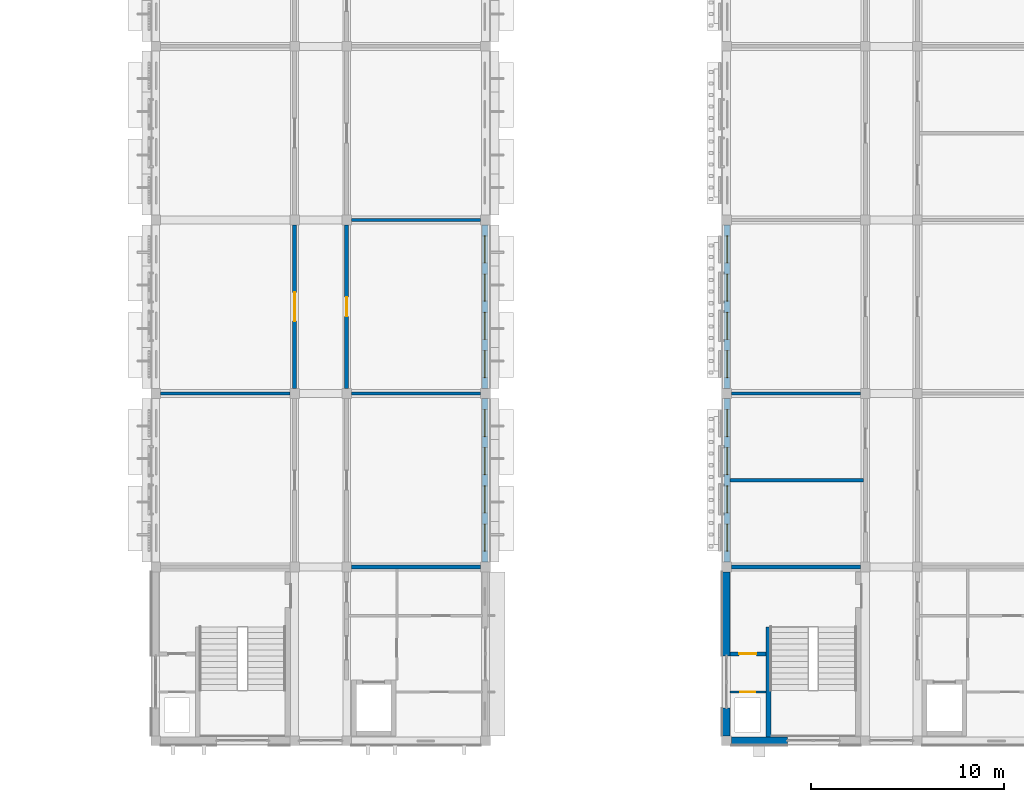
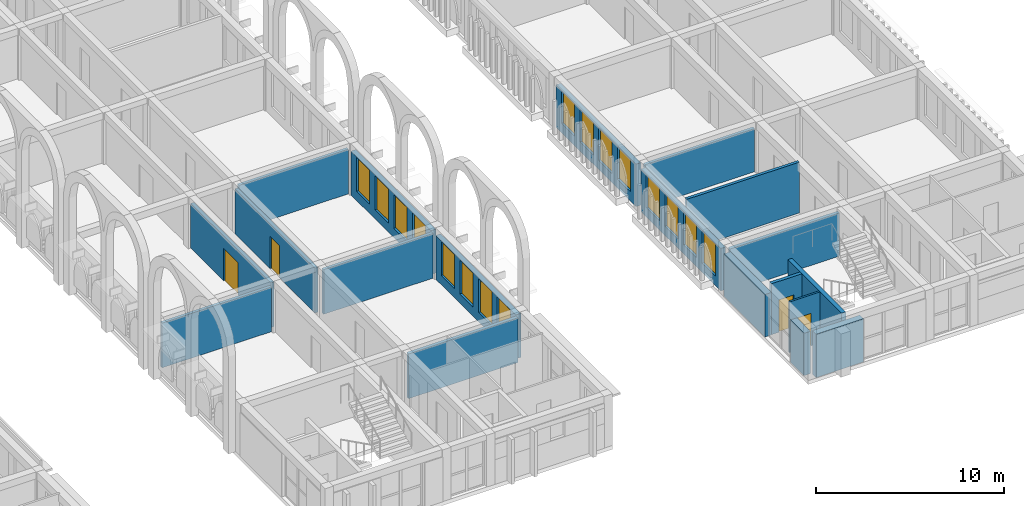
# One storey, part 38 of 70: 19 walls, 16 windows, 4 doors, 20 openings.
"""IFC4 building model written with IfcOpenShell, lengths in metres."""

from ifc_helpers import new_model, si_unit, direction, frame, frame_2d, origin, place, context, subcontext, project, spatial, rectangle, extrude, material, layer, layer_set, type_object, element, fill, save


model = new_model("IFC4")

# Units and contexts
model_context = context("Model", 3, precision=1e-05, world=origin(), true_north=direction((0.0, 1.0)))
body_context = subcontext(model_context, "Body", "Model", "MODEL_VIEW")
ifc_project = project(units=[si_unit("LENGTHUNIT", "METRE"), si_unit("AREAUNIT", "SQUARE_METRE"), si_unit("VOLUMEUNIT", "CUBIC_METRE"), si_unit("PLANEANGLEUNIT", "RADIAN"), si_unit("MASSUNIT", "GRAM", prefix="KILO")], contexts=[model_context])

# Site, building, storey
site_placement = place(None, origin())
site = spatial("IfcSite", under=ifc_project, at=site_placement, CompositionType="ELEMENT")
building_placement = place(site_placement, origin())
building = spatial("IfcBuilding", under=site, at=building_placement, Name="Elbe Cascade School", CompositionType="ELEMENT")
storey_placement = place(building_placement, frame((0.0, 0.0, 8.10009765625)))
storey = spatial("IfcBuildingStorey", under=building, at=storey_placement, Name="L02", CompositionType="ELEMENT", Elevation=8.10009765625)

# Walls
ifc_material_1 = material(Name="Masonry - lime-sand block, plastered", Category="masonry")
ifc_layer_1 = layer(ifc_material_1, 0.175048828125)
ifc_layer_set_1 = layer_set([ifc_layer_1], Name="Masonry - lime-sand block, plastered")
wall_type_1 = type_object("IfcWallType", Name="Bar classroom partition wall lime-sand block 175", PredefinedType="PARTITIONING", material=ifc_layer_set_1)
for number, where, z_axis, x_axis, name in (
    (1, (98.85009765625, 24.0, 0.0), (0.0, 0.0, 1.0), (1.0, 0.0, 0.0), "Bar classroom partition wall lime-sand block 175"),
    (2, (108.75, 24.0, 0.0), (0.0, 0.0, 1.0), (1.0, 0.0, 0.0), "Bar classroom partition wall lime-sand block 175"),
    (3, (108.75, 33.0, 0.0), (0.0, 0.0, 1.0), (1.0, 0.0, 0.0), "Bar classroom partition wall lime-sand block 175"),
):
    element("IfcWall", number, at=place(storey_placement, frame(where, z_axis=z_axis, x_axis=x_axis)), inside=storey, type_object=wall_type_1, Name=name, PredefinedType="PARTITIONING", context=body_context, shape_type="SweptSolid", body=[
        extrude(rectangle(XDim=6.699951171875, YDim=0.175048828125, at=frame_2d((3.35009765625, 0.0))), origin(), (0.0, 0.0, 1.0), 2.89990234375),
    ])
wall_1_placement = place(storey_placement, frame((128.3798828125, 19.5, 0.0), z_axis=(0.0, 0.0, 1.0), x_axis=(1.0, 0.0, 0.0)))
element("IfcWall", 4, at=wall_1_placement, inside=storey, type_object=wall_type_1, Name="Bar classroom partition wall lime-sand block 175", PredefinedType="PARTITIONING", context=body_context, shape_type="SweptSolid", body=[
    extrude(rectangle(XDim=6.920166015625, YDim=0.175048828125, at=frame_2d((3.4599609375, 0.0))), origin(), (0.0, 0.0, 1.0), 3.2998046875),
])
wall_2_placement = place(storey_placement, frame((128.449951171875, 24.0, 0.0), z_axis=(0.0, 0.0, 1.0), x_axis=(1.0, 0.0, 0.0)))
element("IfcWall", 5, at=wall_2_placement, inside=storey, type_object=wall_type_1, Name="Bar classroom partition wall lime-sand block 175", PredefinedType="PARTITIONING", context=body_context, shape_type="SweptSolid", body=[
    extrude(rectangle(XDim=6.699951171875, YDim=0.175048828125, at=frame_2d((3.35009765625, 0.0))), origin(), (0.0, 0.0, 1.0), 2.7998046875),
])

# Wall, opening, door
ifc_material_2 = material(Name="Masonry - lime-sand block, plastered", Category="masonry")
ifc_layer_2 = layer(ifc_material_2, 0.199951171875)
ifc_layer_set_2 = layer_set([ifc_layer_2], Name="Masonry - lime-sand block, plastered")
wall_type_2 = type_object("IfcWallType", Name="Bar corridor wall lime-sand block 200 EI 30", PredefinedType="PARTITIONING", material=ifc_layer_set_2)
wall_3_placement = place(storey_placement, frame((105.800048828125, 24.25, 0.0), z_axis=(0.0, 0.0, 1.0), x_axis=(0.0, 1.0, 0.0)))
wall_3 = element("IfcWall", 6, at=wall_3_placement, inside=storey, type_object=wall_type_2, Name="Bar corridor wall lime-sand block 200 EI 30", PredefinedType="PARTITIONING", context=body_context, shape_type="SweptSolid", body=[
    extrude(rectangle(XDim=8.5, YDim=0.199951171875, at=frame_2d((4.25, 0.0))), origin(), (0.0, 0.0, 1.0), 2.89990234375),
])
opening_1_placement = place(wall_3_placement, frame((3.5, 0.0, 0.0)))
opening_1 = element("IfcOpeningElement", 7, at=opening_1_placement, cuts=wall_3, Name="Opening D2.040", PredefinedType="OPENING", context=body_context, shape_type="SweptSolid", body=[
    extrude(rectangle(XDim=1.5, YDim=2.10009765625, at=frame_2d((0.75, 1.050048828125))), frame((0.0, 0.10986328125, 0.0), z_axis=(0.0, -1.0, 0.0), x_axis=(1.0, 0.0, 0.0)), (0.0, 0.0, 1.0), 0.219970703125),
])
ifc_material_3 = material(Name="Timber door leaves, fire-resisting, steel frame", Category="steel")
door_type_1 = type_object("IfcDoorType", Name="Bar door FD30 1500x2100", OperationType="NOTDEFINED", PredefinedType="DOOR", material=ifc_material_3)
door_1_placement = place(opening_1_placement, origin())
door_1 = element("IfcDoor", 8, at=door_1_placement, inside=storey, type_object=door_type_1, Name="Door B2.20a", OperationType="DOUBLE_DOOR_SINGLE_SWING", OverallHeight=2.10009765625, OverallWidth=1.5, PredefinedType="DOOR", context=body_context, shape_type="SweptSolid", body=[
    extrude(rectangle(XDim=1.5, YDim=2.10009765625, at=frame_2d((0.75, 1.050048828125))), frame((0.0, 0.02490234375, 0.0), z_axis=(0.0, -1.0, 0.0), x_axis=(1.0, 0.0, 0.0)), (0.0, 0.0, 1.0), 0.050048828125),
])
fill(opening_1, door_1)

wall_4_placement = place(storey_placement, frame((108.5, 32.75, 0.0), z_axis=(0.0, 0.0, 1.0), x_axis=(0.0, -1.0, 0.0)))
wall_4 = element("IfcWall", 9, at=wall_4_placement, inside=storey, type_object=wall_type_2, Name="Bar corridor wall lime-sand block 200 EI 30", PredefinedType="PARTITIONING", context=body_context, shape_type="SweptSolid", body=[
    extrude(rectangle(XDim=8.5, YDim=0.199951171875, at=frame_2d((4.25, 0.0))), origin(), (0.0, 0.0, 1.0), 2.89990234375),
])
opening_2_placement = place(wall_4_placement, frame((3.75, 0.0, 0.0)))
opening_2 = element("IfcOpeningElement", 10, at=opening_2_placement, cuts=wall_4, Name="Opening D2.041", PredefinedType="OPENING", context=body_context, shape_type="SweptSolid", body=[
    extrude(rectangle(XDim=1.0, YDim=2.10009765625, at=frame_2d((0.5, 1.050048828125))), frame((0.0, 0.10986328125, 0.0), z_axis=(0.0, -1.0, 0.0), x_axis=(1.0, 0.0, 0.0)), (0.0, 0.0, 1.0), 0.219970703125),
])
ifc_material_4 = material(Name="Timber door leaf, fire-resisting, steel frame", Category="steel")
door_type_2 = type_object("IfcDoorType", Name="Bar door FD30 1000x2100", OperationType="NOTDEFINED", PredefinedType="DOOR", material=ifc_material_4)
door_2_placement = place(opening_2_placement, origin())
door_2 = element("IfcDoor", 11, at=door_2_placement, inside=storey, type_object=door_type_2, Name="Door B2.23", OperationType="SINGLE_SWING_RIGHT", OverallHeight=2.10009765625, OverallWidth=1.0, PredefinedType="DOOR", context=body_context, shape_type="SweptSolid", body=[
    extrude(rectangle(XDim=1.0, YDim=2.10009765625, at=frame_2d((0.5, 1.050048828125))), frame((0.0, 0.02490234375, 0.0), z_axis=(0.0, -1.0, 0.0), x_axis=(1.0, 0.0, 0.0)), (0.0, 0.0, 1.0), 0.050048828125),
])
fill(opening_2, door_2)

ifc_material_5 = material(Name="Masonry - lime-sand block, plastered", Category="masonry")
ifc_layer_3 = layer(ifc_material_5, 0.114990234375)
ifc_layer_set_3 = layer_set([ifc_layer_3], Name="Masonry - lime-sand block, plastered")
wall_type_3 = type_object("IfcWallType", Name="Bar light partition wall lime-sand block 115", PredefinedType="PARTITIONING", material=ifc_layer_set_3)
wall_5_placement = place(storey_placement, frame((130.25, 8.52001953125, 0.0), z_axis=(0.0, 0.0, 1.0), x_axis=(-1.0, 0.0, 0.0)))
wall_5 = element("IfcWall", 12, at=wall_5_placement, inside=storey, type_object=wall_type_3, Name="Bar light partition wall lime-sand block 115", PredefinedType="PARTITIONING", context=body_context, shape_type="SweptSolid", body=[
    extrude(rectangle(XDim=1.8701171875, YDim=0.114990234375, at=frame_2d((0.93505859375, 0.0))), origin(), (0.0, 0.0, 1.0), 3.2998046875),
])
opening_3_placement = place(wall_5_placement, frame((0.550048828125, 0.0, 0.0)))
opening_3 = element("IfcOpeningElement", 13, at=opening_3_placement, cuts=wall_5, Name="Opening D2.054", PredefinedType="OPENING", context=body_context, shape_type="SweptSolid", body=[
    extrude(rectangle(XDim=0.800048828125, YDim=2.10009765625, at=frame_2d((0.39990234375, 1.050048828125))), frame((0.0, 0.0673828125, 0.0), z_axis=(0.0, -1.0, 0.0), x_axis=(1.0, 0.0, 0.0)), (0.0, 0.0, 1.0), 0.135009765625),
])
ifc_material_6 = material(Name="Timber door leaf, steel frame", Category="steel")
door_type_3 = type_object("IfcDoorType", Name="Bar door 800x2100", OperationType="NOTDEFINED", PredefinedType="DOOR", material=ifc_material_6)
door_3_placement = place(opening_3_placement, origin())
door_3 = element("IfcDoor", 14, at=door_3_placement, inside=storey, type_object=door_type_3, Name="Door C2.05", OperationType="SINGLE_SWING_LEFT", OverallHeight=2.10009765625, OverallWidth=0.800048828125, PredefinedType="DOOR", context=body_context, shape_type="SweptSolid", body=[
    extrude(rectangle(XDim=0.800048828125, YDim=2.10009765625, at=frame_2d((0.39990234375, 1.050048828125))), frame((0.0, 0.02490234375, 0.0), z_axis=(0.0, -1.0, 0.0), x_axis=(1.0, 0.0, 0.0)), (0.0, 0.0, 1.0), 0.050048828125),
])
fill(opening_3, door_3)

# Walls
ifc_material_7 = material(Name="Masonry - lime-sand block, plastered", Category="masonry")
ifc_layer_4 = layer(ifc_material_7, 0.199951171875)
ifc_layer_set_4 = layer_set([ifc_layer_4], Name="Masonry - lime-sand block, plastered")
wall_type_4 = type_object("IfcWallType", Name="Bar partition wall lime-sand block 200", PredefinedType="PARTITIONING", material=ifc_layer_set_4)
wall_6_placement = place(storey_placement, frame((108.75, 15.0, 0.0), z_axis=(0.0, 0.0, 1.0), x_axis=(1.0, 0.0, 0.0)))
element("IfcWall", 15, at=wall_6_placement, inside=storey, type_object=wall_type_4, Name="Bar partition wall lime-sand block 200", PredefinedType="PARTITIONING", context=body_context, shape_type="SweptSolid", body=[
    extrude(rectangle(XDim=6.699951171875, YDim=0.199951171875, at=frame_2d((3.35009765625, 0.0))), origin(), (0.0, 0.0, 1.0), 2.89990234375),
])
ifc_material_8 = material(Name="Concrete C30/37", Category="concrete")
ifc_layer_5 = layer(ifc_material_8, 0.25)
ifc_layer_set_5 = layer_set([ifc_layer_5], Name="Concrete C30/37")
wall_type_5 = type_object("IfcWallType", Name="Bar stair core wall RC 250", PredefinedType="SOLIDWALL", material=ifc_layer_set_5)
wall_7_placement = place(storey_placement, frame((130.375, 6.179931640625, 0.0), z_axis=(0.0, 0.0, 1.0), x_axis=(0.0, 1.0, 0.0)))
element("IfcWall", 16, at=wall_7_placement, inside=storey, type_object=wall_type_5, Name="Bar stair core wall RC 250", PredefinedType="SOLIDWALL", context=body_context, shape_type="SweptSolid", body=[
    extrude(rectangle(XDim=5.719970703125, YDim=0.25, at=frame_2d((2.85986328125, 0.0))), origin(), (0.0, 0.0, 1.0), 3.2998046875),
])

# Wall, opening, door
ifc_material_9 = material(Name="Concrete C30/37", Category="concrete")
ifc_layer_6 = layer(ifc_material_9, 0.199951171875)
ifc_layer_set_6 = layer_set([ifc_layer_6], Name="Concrete C30/37")
wall_type_6 = type_object("IfcWallType", Name="Bar stair lobby wall RC 200", PredefinedType="SOLIDWALL", material=ifc_layer_set_6)
wall_8_placement = place(storey_placement, frame((130.25, 10.5, 0.0), z_axis=(0.0, 0.0, 1.0), x_axis=(-1.0, 0.0, 0.0)))
wall_8 = element("IfcWall", 17, at=wall_8_placement, inside=storey, type_object=wall_type_6, Name="Bar stair lobby wall RC 200", PredefinedType="SOLIDWALL", context=body_context, shape_type="SweptSolid", body=[
    extrude(rectangle(XDim=1.8701171875, YDim=0.199951171875, at=frame_2d((0.93505859375, 0.0))), origin(), (0.0, 0.0, 1.0), 3.2998046875),
])
opening_4_placement = place(wall_8_placement, frame((0.5, 0.0, 0.0)))
opening_4 = element("IfcOpeningElement", 18, at=opening_4_placement, cuts=wall_8, Name="Opening D2.057", PredefinedType="OPENING", context=body_context, shape_type="SweptSolid", body=[
    extrude(rectangle(XDim=0.89990234375, YDim=2.10009765625, at=frame_2d((0.449951171875, 1.050048828125))), frame((0.0, 0.10986328125, 0.0), z_axis=(0.0, -1.0, 0.0), x_axis=(1.0, 0.0, 0.0)), (0.0, 0.0, 1.0), 0.219970703125),
])
ifc_material_10 = material(Name="Timber door leaf, fire-resisting and smoke-tight, steel frame", Category="steel")
door_type_4 = type_object("IfcDoorType", Name="Bar door FD30S 900x2100", OperationType="NOTDEFINED", PredefinedType="DOOR", material=ifc_material_10)
door_4_placement = place(opening_4_placement, origin())
door_4 = element("IfcDoor", 19, at=door_4_placement, inside=storey, type_object=door_type_4, Name="Door C2.04", OperationType="SINGLE_SWING_RIGHT", OverallHeight=2.10009765625, OverallWidth=0.89990234375, PredefinedType="DOOR", context=body_context, shape_type="SweptSolid", body=[
    extrude(rectangle(XDim=0.89990234375, YDim=2.10009765625, at=frame_2d((0.449951171875, 1.050048828125))), frame((0.0, 0.02490234375, 0.0), z_axis=(0.0, -1.0, 0.0), x_axis=(1.0, 0.0, 0.0)), (0.0, 0.0, 1.0), 0.050048828125),
])
fill(opening_4, door_4)

# Wall
wall_9_placement = place(storey_placement, frame((128.449951171875, 15.0, 0.0), z_axis=(0.0, 0.0, 1.0), x_axis=(1.0, 0.0, 0.0)))
element("IfcWall", 20, at=wall_9_placement, inside=storey, type_object=wall_type_6, Name="Bar stair lobby wall RC 200", PredefinedType="SOLIDWALL", context=body_context, shape_type="SweptSolid", body=[
    extrude(rectangle(XDim=6.699951171875, YDim=0.199951171875, at=frame_2d((3.35009765625, 0.0))), origin(), (0.0, 0.0, 1.0), 2.7998046875),
])

# Wall, openings, windows
ifc_material_11 = material(Name="Brick masonry - red clinker, cavity wall with render backing", Category="masonry")
ifc_layer_7 = layer(ifc_material_11, 0.300048828125)
ifc_layer_set_7 = layer_set([ifc_layer_7], Name="Brick masonry - red clinker, cavity wall with render backing")
wall_type_7 = type_object("IfcWallType", Name="Bars envelope External wall - clinker brick cavity, 300 upper floors", PredefinedType="STANDARD", material=ifc_layer_set_7)
wall_10_placement = place(storey_placement, frame((115.669921875, 23.75, 0.0), z_axis=(0.0, 0.0, 1.0), x_axis=(0.0, -1.0, 0.0)))
wall_10 = element("IfcWall", 21, at=wall_10_placement, inside=storey, type_object=wall_type_7, Name="External wall W30 B.L02.e2", PredefinedType="STANDARD", context=body_context, shape_type="SweptSolid", body=[
    extrude(rectangle(XDim=8.5, YDim=0.300048828125, at=frame_2d((4.25, 0.0))), origin(), (0.0, 0.0, 1.0), 2.849853515625),
])
opening_5_placement = place(wall_10_placement, frame((6.52001953125, 0.0, 0.60009765625)))
opening_5 = element("IfcOpeningElement", 22, at=opening_5_placement, cuts=wall_10, Name="Opening W2.043", PredefinedType="OPENING", context=body_context, shape_type="SweptSolid", body=[
    extrude(rectangle(XDim=1.39990234375, YDim=2.199951171875, at=frame_2d((0.699951171875, 1.10009765625))), frame((0.0, 0.159912109375, 0.0), z_axis=(0.0, -1.0, 0.0), x_axis=(1.0, 0.0, 0.0)), (0.0, 0.0, 1.0), 0.320068359375),
])
opening_6_placement = place(wall_10_placement, frame((4.5400390625, 0.0, 0.60009765625)))
opening_6 = element("IfcOpeningElement", 23, at=opening_6_placement, cuts=wall_10, Name="Opening W2.045", PredefinedType="OPENING", context=body_context, shape_type="SweptSolid", body=[
    extrude(rectangle(XDim=1.39990234375, YDim=2.199951171875, at=frame_2d((0.699951171875, 1.10009765625))), frame((0.0, 0.159912109375, 0.0), z_axis=(0.0, -1.0, 0.0), x_axis=(1.0, 0.0, 0.0)), (0.0, 0.0, 1.0), 0.320068359375),
])
opening_7_placement = place(wall_10_placement, frame((2.56005859375, 0.0, 0.60009765625)))
opening_7 = element("IfcOpeningElement", 24, at=opening_7_placement, cuts=wall_10, Name="Opening W2.047", PredefinedType="OPENING", context=body_context, shape_type="SweptSolid", body=[
    extrude(rectangle(XDim=1.39990234375, YDim=2.199951171875, at=frame_2d((0.699951171875, 1.10009765625))), frame((0.0, 0.159912109375, 0.0), z_axis=(0.0, -1.0, 0.0), x_axis=(1.0, 0.0, 0.0)), (0.0, 0.0, 1.0), 0.320068359375),
])
opening_8_placement = place(wall_10_placement, frame((0.580078125, 0.0, 0.60009765625)))
opening_8 = element("IfcOpeningElement", 25, at=opening_8_placement, cuts=wall_10, Name="Opening W2.049", PredefinedType="OPENING", context=body_context, shape_type="SweptSolid", body=[
    extrude(rectangle(XDim=1.39990234375, YDim=2.199951171875, at=frame_2d((0.699951171875, 1.10009765625))), frame((0.0, 0.159912109375, 0.0), z_axis=(0.0, -1.0, 0.0), x_axis=(1.0, 0.0, 0.0)), (0.0, 0.0, 1.0), 0.320068359375),
])
ifc_material_12 = material(Name="Aluminium frame with double glazing, bronze anodised", Category="aluminium")
window_type_1 = type_object("IfcWindowType", Name="Bars envelope Window 1400 x 2200, classroom, aluminium double glazed", PartitioningType="DOUBLE_PANEL_VERTICAL", PredefinedType="WINDOW", material=ifc_material_12)
window_1_placement = place(opening_5_placement, origin())
window_1 = element("IfcWindow", 26, at=window_1_placement, inside=storey, type_object=window_type_1, Name="Window WN7 B.L02.e2.1", OverallHeight=2.199951171875, OverallWidth=1.39990234375, PartitioningType="DOUBLE_PANEL_VERTICAL", PredefinedType="WINDOW", context=body_context, shape_type="SweptSolid", body=[
    extrude(rectangle(XDim=1.39990234375, YDim=2.199951171875, at=frame_2d((0.699951171875, 1.10009765625))), frame((0.0, 0.030029296875, 0.0), z_axis=(0.0, -1.0, 0.0), x_axis=(1.0, 0.0, 0.0)), (0.0, 0.0, 1.0), 0.06005859375),
])
fill(opening_5, window_1)
window_2_placement = place(opening_6_placement, origin())
window_2 = element("IfcWindow", 27, at=window_2_placement, inside=storey, type_object=window_type_1, Name="Window WN7 B.L02.e2.2", OverallHeight=2.199951171875, OverallWidth=1.39990234375, PartitioningType="DOUBLE_PANEL_VERTICAL", PredefinedType="WINDOW", context=body_context, shape_type="SweptSolid", body=[
    extrude(rectangle(XDim=1.39990234375, YDim=2.199951171875, at=frame_2d((0.699951171875, 1.10009765625))), frame((0.0, 0.030029296875, 0.0), z_axis=(0.0, -1.0, 0.0), x_axis=(1.0, 0.0, 0.0)), (0.0, 0.0, 1.0), 0.06005859375),
])
fill(opening_6, window_2)
window_3_placement = place(opening_7_placement, origin())
window_3 = element("IfcWindow", 28, at=window_3_placement, inside=storey, type_object=window_type_1, Name="Window WN7 B.L02.e2.3", OverallHeight=2.199951171875, OverallWidth=1.39990234375, PartitioningType="DOUBLE_PANEL_VERTICAL", PredefinedType="WINDOW", context=body_context, shape_type="SweptSolid", body=[
    extrude(rectangle(XDim=1.39990234375, YDim=2.199951171875, at=frame_2d((0.699951171875, 1.10009765625))), frame((0.0, 0.030029296875, 0.0), z_axis=(0.0, -1.0, 0.0), x_axis=(1.0, 0.0, 0.0)), (0.0, 0.0, 1.0), 0.06005859375),
])
fill(opening_7, window_3)
window_4_placement = place(opening_8_placement, origin())
window_4 = element("IfcWindow", 29, at=window_4_placement, inside=storey, type_object=window_type_1, Name="Window WN7 B.L02.e2.4", OverallHeight=2.199951171875, OverallWidth=1.39990234375, PartitioningType="DOUBLE_PANEL_VERTICAL", PredefinedType="WINDOW", context=body_context, shape_type="SweptSolid", body=[
    extrude(rectangle(XDim=1.39990234375, YDim=2.199951171875, at=frame_2d((0.699951171875, 1.10009765625))), frame((0.0, 0.030029296875, 0.0), z_axis=(0.0, -1.0, 0.0), x_axis=(1.0, 0.0, 0.0)), (0.0, 0.0, 1.0), 0.06005859375),
])
fill(opening_8, window_4)

wall_11_placement = place(storey_placement, frame((115.669921875, 32.75, 0.0), z_axis=(0.0, 0.0, 1.0), x_axis=(0.0, -1.0, 0.0)))
wall_11 = element("IfcWall", 30, at=wall_11_placement, inside=storey, type_object=wall_type_7, Name="External wall W30 B.L02.e3", PredefinedType="STANDARD", context=body_context, shape_type="SweptSolid", body=[
    extrude(rectangle(XDim=8.5, YDim=0.300048828125, at=frame_2d((4.25, 0.0))), origin(), (0.0, 0.0, 1.0), 2.849853515625),
])
opening_9_placement = place(wall_11_placement, frame((6.52001953125, 0.0, 0.60009765625)))
opening_9 = element("IfcOpeningElement", 31, at=opening_9_placement, cuts=wall_11, Name="Opening W2.051", PredefinedType="OPENING", context=body_context, shape_type="SweptSolid", body=[
    extrude(rectangle(XDim=1.39990234375, YDim=2.199951171875, at=frame_2d((0.699951171875, 1.10009765625))), frame((0.0, 0.159912109375, 0.0), z_axis=(0.0, -1.0, 0.0), x_axis=(1.0, 0.0, 0.0)), (0.0, 0.0, 1.0), 0.320068359375),
])
opening_10_placement = place(wall_11_placement, frame((4.5400390625, 0.0, 0.60009765625)))
opening_10 = element("IfcOpeningElement", 32, at=opening_10_placement, cuts=wall_11, Name="Opening W2.053", PredefinedType="OPENING", context=body_context, shape_type="SweptSolid", body=[
    extrude(rectangle(XDim=1.39990234375, YDim=2.199951171875, at=frame_2d((0.699951171875, 1.10009765625))), frame((0.0, 0.159912109375, 0.0), z_axis=(0.0, -1.0, 0.0), x_axis=(1.0, 0.0, 0.0)), (0.0, 0.0, 1.0), 0.320068359375),
])
opening_11_placement = place(wall_11_placement, frame((2.56005859375, 0.0, 0.60009765625)))
opening_11 = element("IfcOpeningElement", 33, at=opening_11_placement, cuts=wall_11, Name="Opening W2.055", PredefinedType="OPENING", context=body_context, shape_type="SweptSolid", body=[
    extrude(rectangle(XDim=1.39990234375, YDim=2.199951171875, at=frame_2d((0.699951171875, 1.10009765625))), frame((0.0, 0.159912109375, 0.0), z_axis=(0.0, -1.0, 0.0), x_axis=(1.0, 0.0, 0.0)), (0.0, 0.0, 1.0), 0.320068359375),
])
opening_12_placement = place(wall_11_placement, frame((0.580078125, 0.0, 0.60009765625)))
opening_12 = element("IfcOpeningElement", 34, at=opening_12_placement, cuts=wall_11, Name="Opening W2.057", PredefinedType="OPENING", context=body_context, shape_type="SweptSolid", body=[
    extrude(rectangle(XDim=1.39990234375, YDim=2.199951171875, at=frame_2d((0.699951171875, 1.10009765625))), frame((0.0, 0.159912109375, 0.0), z_axis=(0.0, -1.0, 0.0), x_axis=(1.0, 0.0, 0.0)), (0.0, 0.0, 1.0), 0.320068359375),
])
window_5_placement = place(opening_9_placement, origin())
window_5 = element("IfcWindow", 35, at=window_5_placement, inside=storey, type_object=window_type_1, Name="Window WN7 B.L02.e3.1", OverallHeight=2.199951171875, OverallWidth=1.39990234375, PartitioningType="DOUBLE_PANEL_VERTICAL", PredefinedType="WINDOW", context=body_context, shape_type="SweptSolid", body=[
    extrude(rectangle(XDim=1.39990234375, YDim=2.199951171875, at=frame_2d((0.699951171875, 1.10009765625))), frame((0.0, 0.030029296875, 0.0), z_axis=(0.0, -1.0, 0.0), x_axis=(1.0, 0.0, 0.0)), (0.0, 0.0, 1.0), 0.06005859375),
])
fill(opening_9, window_5)
window_6_placement = place(opening_10_placement, origin())
window_6 = element("IfcWindow", 36, at=window_6_placement, inside=storey, type_object=window_type_1, Name="Window WN7 B.L02.e3.2", OverallHeight=2.199951171875, OverallWidth=1.39990234375, PartitioningType="DOUBLE_PANEL_VERTICAL", PredefinedType="WINDOW", context=body_context, shape_type="SweptSolid", body=[
    extrude(rectangle(XDim=1.39990234375, YDim=2.199951171875, at=frame_2d((0.699951171875, 1.10009765625))), frame((0.0, 0.030029296875, 0.0), z_axis=(0.0, -1.0, 0.0), x_axis=(1.0, 0.0, 0.0)), (0.0, 0.0, 1.0), 0.06005859375),
])
fill(opening_10, window_6)
window_7_placement = place(opening_11_placement, origin())
window_7 = element("IfcWindow", 37, at=window_7_placement, inside=storey, type_object=window_type_1, Name="Window WN7 B.L02.e3.3", OverallHeight=2.199951171875, OverallWidth=1.39990234375, PartitioningType="DOUBLE_PANEL_VERTICAL", PredefinedType="WINDOW", context=body_context, shape_type="SweptSolid", body=[
    extrude(rectangle(XDim=1.39990234375, YDim=2.199951171875, at=frame_2d((0.699951171875, 1.10009765625))), frame((0.0, 0.030029296875, 0.0), z_axis=(0.0, -1.0, 0.0), x_axis=(1.0, 0.0, 0.0)), (0.0, 0.0, 1.0), 0.06005859375),
])
fill(opening_11, window_7)
window_8_placement = place(opening_12_placement, origin())
window_8 = element("IfcWindow", 38, at=window_8_placement, inside=storey, type_object=window_type_1, Name="Window WN7 B.L02.e3.4", OverallHeight=2.199951171875, OverallWidth=1.39990234375, PartitioningType="DOUBLE_PANEL_VERTICAL", PredefinedType="WINDOW", context=body_context, shape_type="SweptSolid", body=[
    extrude(rectangle(XDim=1.39990234375, YDim=2.199951171875, at=frame_2d((0.699951171875, 1.10009765625))), frame((0.0, 0.030029296875, 0.0), z_axis=(0.0, -1.0, 0.0), x_axis=(1.0, 0.0, 0.0)), (0.0, 0.0, 1.0), 0.06005859375),
])
fill(opening_12, window_8)

wall_12_placement = place(storey_placement, frame((128.22998046875, 15.25, 0.0), z_axis=(0.0, 0.0, 1.0), x_axis=(0.0, 1.0, 0.0)))
wall_12 = element("IfcWall", 39, at=wall_12_placement, inside=storey, type_object=wall_type_7, Name="External wall W30 C.L02.w2", PredefinedType="STANDARD", context=body_context, shape_type="SweptSolid", body=[
    extrude(rectangle(XDim=8.5, YDim=0.300048828125, at=frame_2d((4.25, 0.0))), origin(), (0.0, 0.0, 1.0), 2.75),
])
opening_13_placement = place(wall_12_placement, frame((0.580078125, 0.0, 0.60009765625)))
opening_13 = element("IfcOpeningElement", 40, at=opening_13_placement, cuts=wall_12, Name="Opening W2.082", PredefinedType="OPENING", context=body_context, shape_type="SweptSolid", body=[
    extrude(rectangle(XDim=1.39990234375, YDim=2.10009765625, at=frame_2d((0.699951171875, 1.050048828125))), frame((0.0, 0.159912109375, 0.0), z_axis=(0.0, -1.0, 0.0), x_axis=(1.0, 0.0, 0.0)), (0.0, 0.0, 1.0), 0.320068359375),
])
opening_14_placement = place(wall_12_placement, frame((2.56005859375, 0.0, 0.60009765625)))
opening_14 = element("IfcOpeningElement", 41, at=opening_14_placement, cuts=wall_12, Name="Opening W2.084", PredefinedType="OPENING", context=body_context, shape_type="SweptSolid", body=[
    extrude(rectangle(XDim=1.39990234375, YDim=2.10009765625, at=frame_2d((0.699951171875, 1.050048828125))), frame((0.0, 0.159912109375, 0.0), z_axis=(0.0, -1.0, 0.0), x_axis=(1.0, 0.0, 0.0)), (0.0, 0.0, 1.0), 0.320068359375),
])
opening_15_placement = place(wall_12_placement, frame((4.5400390625, 0.0, 0.60009765625)))
opening_15 = element("IfcOpeningElement", 42, at=opening_15_placement, cuts=wall_12, Name="Opening W2.086", PredefinedType="OPENING", context=body_context, shape_type="SweptSolid", body=[
    extrude(rectangle(XDim=1.39990234375, YDim=2.10009765625, at=frame_2d((0.699951171875, 1.050048828125))), frame((0.0, 0.159912109375, 0.0), z_axis=(0.0, -1.0, 0.0), x_axis=(1.0, 0.0, 0.0)), (0.0, 0.0, 1.0), 0.320068359375),
])
opening_16_placement = place(wall_12_placement, frame((6.52001953125, 0.0, 0.60009765625)))
opening_16 = element("IfcOpeningElement", 43, at=opening_16_placement, cuts=wall_12, Name="Opening W2.088", PredefinedType="OPENING", context=body_context, shape_type="SweptSolid", body=[
    extrude(rectangle(XDim=1.39990234375, YDim=2.10009765625, at=frame_2d((0.699951171875, 1.050048828125))), frame((0.0, 0.159912109375, 0.0), z_axis=(0.0, -1.0, 0.0), x_axis=(1.0, 0.0, 0.0)), (0.0, 0.0, 1.0), 0.320068359375),
])
ifc_material_13 = material(Name="Aluminium frame with double glazing, bronze anodised", Category="aluminium")
window_type_2 = type_object("IfcWindowType", Name="Bars envelope Window 1400 x 2100, classroom, aluminium double glazed", PartitioningType="DOUBLE_PANEL_VERTICAL", PredefinedType="WINDOW", material=ifc_material_13)
window_9_placement = place(opening_13_placement, origin())
window_9 = element("IfcWindow", 44, at=window_9_placement, inside=storey, type_object=window_type_2, Name="Window WN8 C.L02.w2.1", OverallHeight=2.10009765625, OverallWidth=1.39990234375, PartitioningType="DOUBLE_PANEL_VERTICAL", PredefinedType="WINDOW", context=body_context, shape_type="SweptSolid", body=[
    extrude(rectangle(XDim=1.39990234375, YDim=2.10009765625, at=frame_2d((0.699951171875, 1.050048828125))), frame((0.0, 0.030029296875, 0.0), z_axis=(0.0, -1.0, 0.0), x_axis=(1.0, 0.0, 0.0)), (0.0, 0.0, 1.0), 0.06005859375),
])
fill(opening_13, window_9)
window_10_placement = place(opening_14_placement, origin())
window_10 = element("IfcWindow", 45, at=window_10_placement, inside=storey, type_object=window_type_2, Name="Window WN8 C.L02.w2.2", OverallHeight=2.10009765625, OverallWidth=1.39990234375, PartitioningType="DOUBLE_PANEL_VERTICAL", PredefinedType="WINDOW", context=body_context, shape_type="SweptSolid", body=[
    extrude(rectangle(XDim=1.39990234375, YDim=2.10009765625, at=frame_2d((0.699951171875, 1.050048828125))), frame((0.0, 0.030029296875, 0.0), z_axis=(0.0, -1.0, 0.0), x_axis=(1.0, 0.0, 0.0)), (0.0, 0.0, 1.0), 0.06005859375),
])
fill(opening_14, window_10)
window_11_placement = place(opening_15_placement, origin())
window_11 = element("IfcWindow", 46, at=window_11_placement, inside=storey, type_object=window_type_2, Name="Window WN8 C.L02.w2.3", OverallHeight=2.10009765625, OverallWidth=1.39990234375, PartitioningType="DOUBLE_PANEL_VERTICAL", PredefinedType="WINDOW", context=body_context, shape_type="SweptSolid", body=[
    extrude(rectangle(XDim=1.39990234375, YDim=2.10009765625, at=frame_2d((0.699951171875, 1.050048828125))), frame((0.0, 0.030029296875, 0.0), z_axis=(0.0, -1.0, 0.0), x_axis=(1.0, 0.0, 0.0)), (0.0, 0.0, 1.0), 0.06005859375),
])
fill(opening_15, window_11)
window_12_placement = place(opening_16_placement, origin())
window_12 = element("IfcWindow", 47, at=window_12_placement, inside=storey, type_object=window_type_2, Name="Window WN8 C.L02.w2.4", OverallHeight=2.10009765625, OverallWidth=1.39990234375, PartitioningType="DOUBLE_PANEL_VERTICAL", PredefinedType="WINDOW", context=body_context, shape_type="SweptSolid", body=[
    extrude(rectangle(XDim=1.39990234375, YDim=2.10009765625, at=frame_2d((0.699951171875, 1.050048828125))), frame((0.0, 0.030029296875, 0.0), z_axis=(0.0, -1.0, 0.0), x_axis=(1.0, 0.0, 0.0)), (0.0, 0.0, 1.0), 0.06005859375),
])
fill(opening_16, window_12)

wall_13_placement = place(storey_placement, frame((128.22998046875, 24.25, 0.0), z_axis=(0.0, 0.0, 1.0), x_axis=(0.0, 1.0, 0.0)))
wall_13 = element("IfcWall", 48, at=wall_13_placement, inside=storey, type_object=wall_type_7, Name="External wall W30 C.L02.w3", PredefinedType="STANDARD", context=body_context, shape_type="SweptSolid", body=[
    extrude(rectangle(XDim=8.5, YDim=0.300048828125, at=frame_2d((4.25, 0.0))), origin(), (0.0, 0.0, 1.0), 2.75),
])
opening_17_placement = place(wall_13_placement, frame((0.580078125, 0.0, 0.60009765625)))
opening_17 = element("IfcOpeningElement", 49, at=opening_17_placement, cuts=wall_13, Name="Opening W2.090", PredefinedType="OPENING", context=body_context, shape_type="SweptSolid", body=[
    extrude(rectangle(XDim=1.39990234375, YDim=2.10009765625, at=frame_2d((0.699951171875, 1.050048828125))), frame((0.0, 0.159912109375, 0.0), z_axis=(0.0, -1.0, 0.0), x_axis=(1.0, 0.0, 0.0)), (0.0, 0.0, 1.0), 0.320068359375),
])
opening_18_placement = place(wall_13_placement, frame((2.56005859375, 0.0, 0.60009765625)))
opening_18 = element("IfcOpeningElement", 50, at=opening_18_placement, cuts=wall_13, Name="Opening W2.092", PredefinedType="OPENING", context=body_context, shape_type="SweptSolid", body=[
    extrude(rectangle(XDim=1.39990234375, YDim=2.10009765625, at=frame_2d((0.699951171875, 1.050048828125))), frame((0.0, 0.159912109375, 0.0), z_axis=(0.0, -1.0, 0.0), x_axis=(1.0, 0.0, 0.0)), (0.0, 0.0, 1.0), 0.320068359375),
])
opening_19_placement = place(wall_13_placement, frame((4.5400390625, 0.0, 0.60009765625)))
opening_19 = element("IfcOpeningElement", 51, at=opening_19_placement, cuts=wall_13, Name="Opening W2.094", PredefinedType="OPENING", context=body_context, shape_type="SweptSolid", body=[
    extrude(rectangle(XDim=1.39990234375, YDim=2.10009765625, at=frame_2d((0.699951171875, 1.050048828125))), frame((0.0, 0.159912109375, 0.0), z_axis=(0.0, -1.0, 0.0), x_axis=(1.0, 0.0, 0.0)), (0.0, 0.0, 1.0), 0.320068359375),
])
opening_20_placement = place(wall_13_placement, frame((6.52001953125, 0.0, 0.60009765625)))
opening_20 = element("IfcOpeningElement", 52, at=opening_20_placement, cuts=wall_13, Name="Opening W2.096", PredefinedType="OPENING", context=body_context, shape_type="SweptSolid", body=[
    extrude(rectangle(XDim=1.39990234375, YDim=2.10009765625, at=frame_2d((0.699951171875, 1.050048828125))), frame((0.0, 0.159912109375, 0.0), z_axis=(0.0, -1.0, 0.0), x_axis=(1.0, 0.0, 0.0)), (0.0, 0.0, 1.0), 0.320068359375),
])
window_13_placement = place(opening_17_placement, origin())
window_13 = element("IfcWindow", 53, at=window_13_placement, inside=storey, type_object=window_type_2, Name="Window WN8 C.L02.w3.1", OverallHeight=2.10009765625, OverallWidth=1.39990234375, PartitioningType="DOUBLE_PANEL_VERTICAL", PredefinedType="WINDOW", context=body_context, shape_type="SweptSolid", body=[
    extrude(rectangle(XDim=1.39990234375, YDim=2.10009765625, at=frame_2d((0.699951171875, 1.050048828125))), frame((0.0, 0.030029296875, 0.0), z_axis=(0.0, -1.0, 0.0), x_axis=(1.0, 0.0, 0.0)), (0.0, 0.0, 1.0), 0.06005859375),
])
fill(opening_17, window_13)
window_14_placement = place(opening_18_placement, origin())
window_14 = element("IfcWindow", 54, at=window_14_placement, inside=storey, type_object=window_type_2, Name="Window WN8 C.L02.w3.2", OverallHeight=2.10009765625, OverallWidth=1.39990234375, PartitioningType="DOUBLE_PANEL_VERTICAL", PredefinedType="WINDOW", context=body_context, shape_type="SweptSolid", body=[
    extrude(rectangle(XDim=1.39990234375, YDim=2.10009765625, at=frame_2d((0.699951171875, 1.050048828125))), frame((0.0, 0.030029296875, 0.0), z_axis=(0.0, -1.0, 0.0), x_axis=(1.0, 0.0, 0.0)), (0.0, 0.0, 1.0), 0.06005859375),
])
fill(opening_18, window_14)
window_15_placement = place(opening_19_placement, origin())
window_15 = element("IfcWindow", 55, at=window_15_placement, inside=storey, type_object=window_type_2, Name="Window WN8 C.L02.w3.3", OverallHeight=2.10009765625, OverallWidth=1.39990234375, PartitioningType="DOUBLE_PANEL_VERTICAL", PredefinedType="WINDOW", context=body_context, shape_type="SweptSolid", body=[
    extrude(rectangle(XDim=1.39990234375, YDim=2.10009765625, at=frame_2d((0.699951171875, 1.050048828125))), frame((0.0, 0.030029296875, 0.0), z_axis=(0.0, -1.0, 0.0), x_axis=(1.0, 0.0, 0.0)), (0.0, 0.0, 1.0), 0.06005859375),
])
fill(opening_19, window_15)
window_16_placement = place(opening_20_placement, origin())
window_16 = element("IfcWindow", 56, at=window_16_placement, inside=storey, type_object=window_type_2, Name="Window WN8 C.L02.w3.4", OverallHeight=2.10009765625, OverallWidth=1.39990234375, PartitioningType="DOUBLE_PANEL_VERTICAL", PredefinedType="WINDOW", context=body_context, shape_type="SweptSolid", body=[
    extrude(rectangle(XDim=1.39990234375, YDim=2.10009765625, at=frame_2d((0.699951171875, 1.050048828125))), frame((0.0, 0.030029296875, 0.0), z_axis=(0.0, -1.0, 0.0), x_axis=(1.0, 0.0, 0.0)), (0.0, 0.0, 1.0), 0.06005859375),
])
fill(opening_20, window_16)

# Walls
ifc_material_14 = material(Name="Brick masonry - red clinker, solid, sandstone-faced", Category="masonry")
ifc_layer_8 = layer(ifc_material_14, 0.39990234375)
ifc_layer_set_8 = layer_set([ifc_layer_8], Name="Brick masonry - red clinker, solid, sandstone-faced")
wall_type_8 = type_object("IfcWallType", Name="Bars envelope External wall - solid masonry core strip, sandstone faced, 400", PredefinedType="STANDARD", material=ifc_layer_set_8)
wall_14_placement = place(storey_placement, frame((128.179931640625, 6.25, 0.0), z_axis=(0.0, 0.0, 1.0), x_axis=(0.0, 1.0, 0.0)))
element("IfcWall", 57, at=wall_14_placement, inside=storey, type_object=wall_type_8, Name="External wall W31 C.L02.w1a", PredefinedType="STANDARD", context=body_context, shape_type="SweptSolid", body=[
    extrude(rectangle(XDim=1.43994140625, YDim=0.39990234375, at=frame_2d((0.719970703125, 0.0))), origin(), (0.0, 0.0, 1.0), 2.75),
])
wall_15_placement = place(storey_placement, frame((128.179931640625, 10.389892578125, 0.0), z_axis=(0.0, 0.0, 1.0), x_axis=(0.0, 1.0, 0.0)))
element("IfcWall", 58, at=wall_15_placement, inside=storey, type_object=wall_type_8, Name="External wall W31 C.L02.w1b", PredefinedType="STANDARD", context=body_context, shape_type="SweptSolid", body=[
    extrude(rectangle(XDim=4.360107421875, YDim=0.39990234375, at=frame_2d((2.18017578125, 0.0))), origin(), (0.0, 0.0, 1.0), 2.75),
])
wall_16_placement = place(storey_placement, frame((131.35009765625, 5.97998046875, 0.0), z_axis=(0.0, 0.0, 1.0), x_axis=(-1.0, 0.0, 0.0)))
element("IfcWall", 59, at=wall_16_placement, inside=storey, type_object=wall_type_8, Name="External wall W31 C.L02.s1a", PredefinedType="STANDARD", context=body_context, shape_type="SweptSolid", body=[
    extrude(rectangle(XDim=2.900146484375, YDim=0.39990234375, at=frame_2d((1.4501953125, 0.0))), origin(), (0.0, 0.0, 1.0), 2.7998046875),
])

save(model, "model.ifc")
